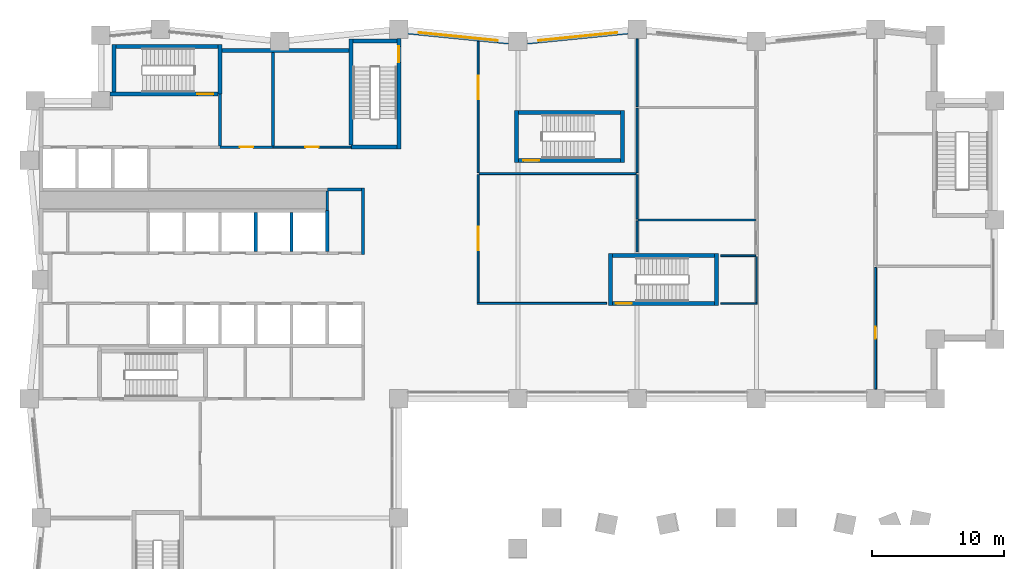
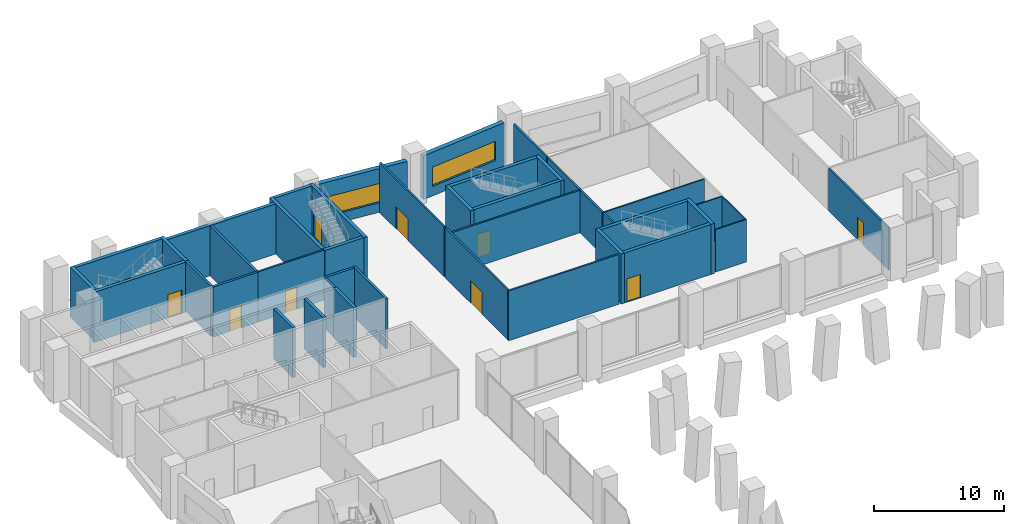
# One storey, part 12 of 17: 42 walls, 9 doors, 2 windows, 11 openings.
"""IFC4 building model written with IfcOpenShell, lengths in metres."""

from ifc_helpers import new_model, si_unit, direction, frame, frame_2d, origin, place, context, subcontext, project, spatial, rectangle, extrude, material, layer, layer_set, type_object, element, fill, save


model = new_model("IFC4")

# Units and contexts
model_context = context("Model", 3, precision=1e-05, world=origin(), true_north=direction((0.0, 1.0)))
body_context = subcontext(model_context, "Body", "Model", "MODEL_VIEW")
ifc_project = project(units=[si_unit("LENGTHUNIT", "METRE"), si_unit("AREAUNIT", "SQUARE_METRE"), si_unit("VOLUMEUNIT", "CUBIC_METRE"), si_unit("PLANEANGLEUNIT", "RADIAN"), si_unit("MASSUNIT", "GRAM", prefix="KILO")], contexts=[model_context])

# Site, building, storey
site_placement = place(None, origin())
site = spatial("IfcSite", under=ifc_project, at=site_placement, CompositionType="ELEMENT")
building_placement = place(site_placement, origin())
building = spatial("IfcBuilding", under=site, at=building_placement, Name="Brondeck Convention Tower", CompositionType="ELEMENT")
storey_placement = place(building_placement, frame((0.0, 0.0, 14.5)))
storey = spatial("IfcBuildingStorey", under=building, at=storey_placement, Name="L02", CompositionType="ELEMENT", Elevation=14.5)

# Walls
ifc_material_1 = material(Name="Concrete C80/95", Category="concrete")
ifc_layer_1 = layer(ifc_material_1, 0.199951171875)
ifc_layer_set_1 = layer_set([ifc_layer_1], Name="Core beam-seat wall 200 Concrete C80/95")
wall_type_1 = type_object("IfcWallType", Name="Core beam-seat wall 200 Concrete C80/95", PredefinedType="SHEAR", material=ifc_layer_set_1)
wall_1_placement = place(storey_placement, frame((24.300048828125, 46.89990234375, 0.0), z_axis=(0.0, 0.0, 1.0), x_axis=(0.0, 1.0, 0.0)))
element("IfcWall", 1, at=wall_1_placement, inside=storey, type_object=wall_type_1, Name="L02 core wall", PredefinedType="SHEAR", context=body_context, shape_type="SweptSolid", body=[
    extrude(rectangle(XDim=5.0, YDim=0.199951171875, at=frame_2d((2.5, 0.0))), origin(), (0.0, 0.0, 1.0), 4.699951171875),
])
ifc_layer_2 = layer(ifc_material_1, 0.300048828125)
ifc_layer_set_2 = layer_set([ifc_layer_2], Name="Core outer wall 300 Concrete C80/95")
wall_type_2 = type_object("IfcWallType", Name="Core outer wall 300 Concrete C80/95", PredefinedType="SHEAR", material=ifc_layer_set_2)
wall_2_placement = place(storey_placement, frame((13.64990234375, 62.300048828125, 0.0), z_axis=(0.0, 0.0, 1.0), x_axis=(1.0, 0.0, 0.0)))
element("IfcWall", 2, at=wall_2_placement, inside=storey, type_object=wall_type_2, Name="L02 core wall", PredefinedType="SHEAR", context=body_context, shape_type="SweptSolid", body=[
    extrude(rectangle(XDim=9.60009765625, YDim=0.300048828125, at=frame_2d((4.800048828125, 0.0))), origin(), (0.0, 0.0, 1.0), 4.699951171875),
])

# Wall, opening, door
ifc_material_2 = material(Name="Fire-rated gypsum board partition")
ifc_layer_3 = layer(ifc_material_2, 0.14990234375)
ifc_layer_set_3 = layer_set([ifc_layer_3], Name="Core partition 150 EI 60")
wall_type_3 = type_object("IfcWallType", Name="Core partition 150 EI 60", PredefinedType="PARTITIONING", material=ifc_layer_set_3)
wall_3_placement = place(storey_placement, frame((17.5, 55.0, 0.0), z_axis=(0.0, 0.0, 1.0), x_axis=(1.0, 0.0, 0.0)))
wall_3 = element("IfcWall", 3, at=wall_3_placement, inside=storey, type_object=wall_type_3, Name="L02 core wall", PredefinedType="PARTITIONING", context=body_context, shape_type="SweptSolid", body=[
    extrude(rectangle(XDim=5.89990234375, YDim=0.14990234375, at=frame_2d((2.949951171875, 0.0))), origin(), (0.0, 0.0, 1.0), 4.699951171875),
])
opening_1_placement = place(wall_3_placement, frame((2.449951171875, 0.0, 0.0)))
opening_1 = element("IfcOpeningElement", 4, at=opening_1_placement, cuts=wall_3, Name="Opening C04-12", PredefinedType="OPENING", context=body_context, shape_type="SweptSolid", body=[
    extrude(rectangle(XDim=1.0, YDim=2.10009765625, at=frame_2d((0.5, 1.050048828125))), frame((0.0, 0.0849609375, 0.0), z_axis=(0.0, -1.0, 0.0), x_axis=(1.0, 0.0, 0.0)), (0.0, 0.0, 1.0), 0.169921875),
])
ifc_material_3 = material(Name="Steel fire door", Category="steel")
door_type_1 = type_object("IfcDoorType", Name="Room door 1000x2100 EI 60", OperationType="NOTDEFINED", PredefinedType="DOOR", material=ifc_material_3)
door_1_placement = place(opening_1_placement, origin())
door_1 = element("IfcDoor", 5, at=door_1_placement, inside=storey, type_object=door_type_1, Name="L02 Room door NE-2", OperationType="SINGLE_SWING_RIGHT", OverallHeight=2.10009765625, OverallWidth=1.0, PredefinedType="DOOR", context=body_context, shape_type="SweptSolid", body=[
    extrude(rectangle(XDim=1.0, YDim=2.10009765625, at=frame_2d((0.5, 1.050048828125))), frame((0.0, 0.02490234375, 0.0), z_axis=(0.0, -1.0, 0.0), x_axis=(1.0, 0.0, 0.0)), (0.0, 0.0, 1.0), 0.050048828125),
])
fill(opening_1, door_1)

# Wall, opening, window
ifc_material_4 = material(Name="Limestone", Category="masonry")
ifc_layer_4 = layer(ifc_material_4, 0.10009765625, Name="Limestone facing")
ifc_material_5 = material(Name="Mineral wool")
ifc_layer_5 = layer(ifc_material_5, 0.159912109375, Name="Insulation")
ifc_material_6 = material(Name="Concrete C35/45", Category="concrete")
ifc_layer_6 = layer(ifc_material_6, 0.139892578125, Name="Backing")
ifc_layer_set_4 = layer_set([ifc_layer_4, ifc_layer_5, ifc_layer_6], Name="External wall, limestone cladding")
wall_type_4 = type_object("IfcWallType", Name="External wall, limestone cladding", PredefinedType="SOLIDWALL", material=ifc_layer_set_4)
wall_4_placement = place(storey_placement, frame((36.70654296875, 62.97021484375, 0.0), z_axis=(0.0, 0.0, 1.0), x_axis=(0.995039719416, 0.099478423711, 0.0)))
wall_4 = element("IfcWall", 6, at=wall_4_placement, inside=storey, type_object=wall_type_4, Name="ENV-EW-L02-BASE-A-N-09", PredefinedType="SOLIDWALL", context=body_context, shape_type="SweptSolid", body=[
    extrude(rectangle(XDim=7.644775390625, YDim=0.39990234375, at=frame_2d((3.822265625, 0.0))), origin(), (0.0, 0.0, 1.0), 4.10009765625),
])
opening_2_placement = place(wall_4_placement, frame((0.822509765625, 0.0, 0.89990234375)))
opening_2 = element("IfcOpeningElement", 7, at=opening_2_placement, cuts=wall_4, Name="Opening W4", PredefinedType="OPENING", context=body_context, shape_type="SweptSolid", body=[
    extrude(rectangle(XDim=6.0, YDim=1.800048828125, at=frame_2d((3.0, 0.89990234375))), frame((0.0, 0.2099609375, 0.0), z_axis=(0.0, -1.0, 0.0), x_axis=(1.0, 0.0, 0.0)), (0.0, 0.0, 1.0), 0.419921875),
])
ifc_material_7 = material(Name="Bronze tinted double glazing", Category="glass")
window_type = type_object("IfcWindowType", Name="Podium ribbon window, bronze tinted", PartitioningType="SINGLE_PANEL", PredefinedType="WINDOW", material=ifc_material_7)
window_1_placement = place(opening_2_placement, origin())
window_1 = element("IfcWindow", 8, at=window_1_placement, inside=storey, type_object=window_type, Name="ENV-WN-L02-BASE-A-N-09", OverallHeight=1.800048828125, OverallWidth=6.0, PartitioningType="SINGLE_PANEL", PredefinedType="WINDOW", context=body_context, shape_type="SweptSolid", body=[
    extrude(rectangle(XDim=6.0, YDim=1.800048828125, at=frame_2d((3.0, 0.89990234375))), frame((0.0, 0.030029296875, 0.0), z_axis=(0.0, -1.0, 0.0), x_axis=(1.0, 0.0, 0.0)), (0.0, 0.0, 1.0), 0.06005859375),
])
fill(opening_2, window_1)

wall_5_placement = place(storey_placement, frame((27.6865234375, 63.730712890625, 0.0), z_axis=(0.0, 0.0, 1.0), x_axis=(0.995039719416, -0.099478423711, 0.0)))
wall_5 = element("IfcWall", 9, at=wall_5_placement, inside=storey, type_object=wall_type_4, Name="ENV-EW-L02-BASE-A-N-07", PredefinedType="SOLIDWALL", context=body_context, shape_type="SweptSolid", body=[
    extrude(rectangle(XDim=7.644775390625, YDim=0.39990234375, at=frame_2d((3.822265625, 0.0))), origin(), (0.0, 0.0, 1.0), 4.10009765625),
])
opening_3_placement = place(wall_5_placement, frame((0.822509765625, 0.0, 0.89990234375)))
opening_3 = element("IfcOpeningElement", 10, at=opening_3_placement, cuts=wall_5, Name="Opening W4", PredefinedType="OPENING", context=body_context, shape_type="SweptSolid", body=[
    extrude(rectangle(XDim=6.0, YDim=1.800048828125, at=frame_2d((3.0, 0.89990234375))), frame((0.0, 0.2099609375, 0.0), z_axis=(0.0, -1.0, 0.0), x_axis=(1.0, 0.0, 0.0)), (0.0, 0.0, 1.0), 0.419921875),
])
window_2_placement = place(opening_3_placement, origin())
window_2 = element("IfcWindow", 11, at=window_2_placement, inside=storey, type_object=window_type, Name="ENV-WN-L02-BASE-A-N-07", OverallHeight=1.800048828125, OverallWidth=6.0, PartitioningType="SINGLE_PANEL", PredefinedType="WINDOW", context=body_context, shape_type="SweptSolid", body=[
    extrude(rectangle(XDim=6.0, YDim=1.800048828125, at=frame_2d((3.0, 0.89990234375))), frame((0.0, 0.030029296875, 0.0), z_axis=(0.0, -1.0, 0.0), x_axis=(1.0, 0.0, 0.0)), (0.0, 0.0, 1.0), 0.06005859375),
])
fill(opening_3, window_2)

# Walls
ifc_layer_7 = layer(ifc_material_2, 0.199951171875)
ifc_layer_set_5 = layer_set([ifc_layer_7], Name="Firefighting lobby wall 200 EI 120")
wall_type_5 = type_object("IfcWallType", Name="Firefighting lobby wall 200 EI 120", PredefinedType="PARTITIONING", material=ifc_layer_set_5)
wall_6_placement = place(storey_placement, frame((13.5, 55.10009765625, 0.0), z_axis=(0.0, 0.0, 1.0), x_axis=(0.0, 1.0, 0.0)))
element("IfcWall", 12, at=wall_6_placement, inside=storey, type_object=wall_type_5, Name="L02 core wall", PredefinedType="PARTITIONING", context=body_context, shape_type="SweptSolid", body=[
    extrude(rectangle(XDim=3.89990234375, YDim=0.199951171875, at=frame_2d((1.949951171875, 0.0))), origin(), (0.0, 0.0, 1.0), 4.699951171875),
])
ifc_material_8 = material(Name="Double gypsum board acoustic wall")
ifc_layer_8 = layer(ifc_material_8, 0.14990234375)
ifc_layer_set_6 = layer_set([ifc_layer_8], Name="Guest room party wall 150")
wall_type_6 = type_object("IfcWallType", Name="Guest room party wall 150", PredefinedType="PARTITIONING", material=ifc_layer_set_6)
wall_7_placement = place(storey_placement, frame((32.925048828125, 43.199951171875, 0.0), z_axis=(0.0, 0.0, 1.0), x_axis=(1.0, 0.0, 0.0)))
element("IfcWall", 13, at=wall_7_placement, inside=storey, type_object=wall_type_6, Name="FLR-L02-W010", PredefinedType="PARTITIONING", context=body_context, shape_type="SweptSolid", body=[
    extrude(rectangle(XDim=9.77490234375, YDim=0.14990234375, at=frame_2d((4.887451171875, 0.0))), origin(), (0.0, 0.0, 1.0), 4.679931640625),
])

# Wall, opening, door
wall_8_placement = place(storey_placement, frame((63.0, 45.925048828125, 0.0), z_axis=(0.0, 0.0, 1.0), x_axis=(0.0, -1.0, 0.0)))
wall_8 = element("IfcWall", 14, at=wall_8_placement, inside=storey, type_object=wall_type_6, Name="FLR-L02-W013", PredefinedType="PARTITIONING", context=body_context, shape_type="SweptSolid", body=[
    extrude(rectangle(XDim=9.205078125, YDim=0.14990234375, at=frame_2d((4.6025390625, 0.0))), origin(), (0.0, 0.0, 1.0), 3.97998046875),
])
opening_4_placement = place(wall_8_placement, frame((4.47509765625, 0.0, 0.0)))
opening_4 = element("IfcOpeningElement", 15, at=opening_4_placement, cuts=wall_8, Name="Opening P-L02-006", PredefinedType="OPENING", context=body_context, shape_type="SweptSolid", body=[
    extrude(rectangle(XDim=0.89990234375, YDim=2.10009765625, at=frame_2d((0.449951171875, 1.050048828125))), frame((0.0, 0.0849609375, 0.0), z_axis=(0.0, -1.0, 0.0), x_axis=(1.0, 0.0, 0.0)), (0.0, 0.0, 1.0), 0.169921875),
])
ifc_material_9 = material(Name="Solid timber door leaf", Category="wood")
door_type_2 = type_object("IfcDoorType", Name="Single door 900", OperationType="NOTDEFINED", PredefinedType="DOOR", material=ifc_material_9)
door_2_placement = place(opening_4_placement, origin())
door_2 = element("IfcDoor", 16, at=door_2_placement, inside=storey, type_object=door_type_2, Name="Door P-L02-006", OperationType="SINGLE_SWING_LEFT", OverallHeight=2.10009765625, OverallWidth=0.89990234375, PredefinedType="DOOR", context=body_context, shape_type="SweptSolid", body=[
    extrude(rectangle(XDim=0.89990234375, YDim=2.10009765625, at=frame_2d((0.449951171875, 1.050048828125))), frame((0.0, 0.02490234375, 0.0), z_axis=(0.0, -1.0, 0.0), x_axis=(1.0, 0.0, 0.0)), (0.0, 0.0, 1.0), 0.050048828125),
])
fill(opening_4, door_2)

# Wall
wall_9_placement = place(storey_placement, frame((45.0, 49.4375, 0.0), z_axis=(0.0, 0.0, 1.0), x_axis=(0.0, -1.0, 0.0)))
element("IfcWall", 17, at=wall_9_placement, inside=storey, type_object=wall_type_6, Name="FLR-L02-W017", PredefinedType="PARTITIONING", context=body_context, shape_type="SweptSolid", body=[
    extrude(rectangle(XDim=2.33740234375, YDim=0.14990234375, at=frame_2d((1.168701171875, 0.0))), origin(), (0.0, 0.0, 1.0), 3.97998046875),
])

# Wall, opening, door
wall_10_placement = place(storey_placement, frame((33.0, 52.925048828125, 0.0), z_axis=(0.0, 0.0, 1.0), x_axis=(0.0, -1.0, 0.0)))
wall_10 = element("IfcWall", 18, at=wall_10_placement, inside=storey, type_object=wall_type_6, Name="FLR-L02-W020", PredefinedType="PARTITIONING", context=body_context, shape_type="SweptSolid", body=[
    extrude(rectangle(XDim=9.650146484375, YDim=0.14990234375, at=frame_2d((4.8251953125, 0.0))), origin(), (0.0, 0.0, 1.0), 4.679931640625),
])
opening_5_placement = place(wall_10_placement, frame((3.925048828125, 0.0, 0.0)))
opening_5 = element("IfcOpeningElement", 19, at=opening_5_placement, cuts=wall_10, Name="Opening P-L02-001", PredefinedType="OPENING", context=body_context, shape_type="SweptSolid", body=[
    extrude(rectangle(XDim=1.800048828125, YDim=2.10009765625, at=frame_2d((0.89990234375, 1.050048828125))), frame((0.0, 0.0849609375, 0.0), z_axis=(0.0, -1.0, 0.0), x_axis=(1.0, 0.0, 0.0)), (0.0, 0.0, 1.0), 0.169921875),
])
ifc_material_10 = material(Name="Glazed timber double door", Category="wood")
door_type_3 = type_object("IfcDoorType", Name="Double door 1800", OperationType="DOUBLE_DOOR_SINGLE_SWING", PredefinedType="DOOR", material=ifc_material_10)
door_3_placement = place(opening_5_placement, origin())
door_3 = element("IfcDoor", 20, at=door_3_placement, inside=storey, type_object=door_type_3, Name="Door P-L02-001", OperationType="DOUBLE_DOOR_SINGLE_SWING", OverallHeight=2.10009765625, OverallWidth=1.800048828125, PredefinedType="DOOR", context=body_context, shape_type="SweptSolid", body=[
    extrude(rectangle(XDim=1.800048828125, YDim=2.10009765625, at=frame_2d((0.89990234375, 1.050048828125))), frame((0.0, 0.02490234375, 0.0), z_axis=(0.0, -1.0, 0.0), x_axis=(1.0, 0.0, 0.0)), (0.0, 0.0, 1.0), 0.050048828125),
])
fill(opening_5, door_3)

# Walls
wall_11_placement = place(storey_placement, frame((45.0, 52.925048828125, 0.0), z_axis=(0.0, 0.0, 1.0), x_axis=(0.0, -1.0, 0.0)))
element("IfcWall", 21, at=wall_11_placement, inside=storey, type_object=wall_type_6, Name="FLR-L02-W021", PredefinedType="PARTITIONING", context=body_context, shape_type="SweptSolid", body=[
    extrude(rectangle(XDim=3.362548828125, YDim=0.14990234375, at=frame_2d((1.68115234375, 0.0))), origin(), (0.0, 0.0, 1.0), 3.97998046875),
])
wall_12_placement = place(storey_placement, frame((33.074951171875, 53.0, 0.0), z_axis=(0.0, 0.0, 1.0), x_axis=(1.0, 0.0, 0.0)))
element("IfcWall", 22, at=wall_12_placement, inside=storey, type_object=wall_type_6, Name="FLR-L02-W022", PredefinedType="PARTITIONING", context=body_context, shape_type="SweptSolid", body=[
    extrude(rectangle(XDim=11.85009765625, YDim=0.14990234375, at=frame_2d((5.925048828125, 0.0))), origin(), (0.0, 0.0, 1.0), 3.97998046875),
])
wall_13_placement = place(storey_placement, frame((45.0, 57.9375, 0.0), z_axis=(0.0, 0.0, 1.0), x_axis=(0.0, -1.0, 0.0)))
element("IfcWall", 23, at=wall_13_placement, inside=storey, type_object=wall_type_6, Name="FLR-L02-W025", PredefinedType="PARTITIONING", context=body_context, shape_type="SweptSolid", body=[
    extrude(rectangle(XDim=4.862548828125, YDim=0.14990234375, at=frame_2d((2.43115234375, 0.0))), origin(), (0.0, 0.0, 1.0), 3.97998046875),
])

# Wall, opening, door
wall_14_placement = place(storey_placement, frame((33.0, 62.978515625, 0.0), z_axis=(0.0, 0.0, 1.0), x_axis=(0.0, -1.0, 0.0)))
wall_14 = element("IfcWall", 24, at=wall_14_placement, inside=storey, type_object=wall_type_6, Name="FLR-L02-W028", PredefinedType="PARTITIONING", context=body_context, shape_type="SweptSolid", body=[
    extrude(rectangle(XDim=9.903564453125, YDim=0.14990234375, at=frame_2d((4.95166015625, 0.0))), origin(), (0.0, 0.0, 1.0), 4.679931640625),
])
opening_6_placement = place(wall_14_placement, frame((2.57861328125, 0.0, 0.0)))
opening_6 = element("IfcOpeningElement", 25, at=opening_6_placement, cuts=wall_14, Name="Opening P-L02-002", PredefinedType="OPENING", context=body_context, shape_type="SweptSolid", body=[
    extrude(rectangle(XDim=1.800048828125, YDim=2.10009765625, at=frame_2d((0.89990234375, 1.050048828125))), frame((0.0, 0.0849609375, 0.0), z_axis=(0.0, -1.0, 0.0), x_axis=(1.0, 0.0, 0.0)), (0.0, 0.0, 1.0), 0.169921875),
])
door_4_placement = place(opening_6_placement, origin())
door_4 = element("IfcDoor", 26, at=door_4_placement, inside=storey, type_object=door_type_3, Name="Door P-L02-002", OperationType="DOUBLE_DOOR_SINGLE_SWING", OverallHeight=2.10009765625, OverallWidth=1.800048828125, PredefinedType="DOOR", context=body_context, shape_type="SweptSolid", body=[
    extrude(rectangle(XDim=1.800048828125, YDim=2.10009765625, at=frame_2d((0.89990234375, 1.050048828125))), frame((0.0, 0.02490234375, 0.0), z_axis=(0.0, -1.0, 0.0), x_axis=(1.0, 0.0, 0.0)), (0.0, 0.0, 1.0), 0.050048828125),
])
fill(opening_6, door_4)

# Walls
wall_15_placement = place(storey_placement, frame((45.0, 63.179931640625, 0.0), z_axis=(0.0, 0.0, 1.0), x_axis=(0.0, -1.0, 0.0)))
element("IfcWall", 27, at=wall_15_placement, inside=storey, type_object=wall_type_6, Name="FLR-L02-W029", PredefinedType="PARTITIONING", context=body_context, shape_type="SweptSolid", body=[
    extrude(rectangle(XDim=5.117431640625, YDim=0.14990234375, at=frame_2d((2.55859375, 0.0))), origin(), (0.0, 0.0, 1.0), 3.97998046875),
])
ifc_layer_9 = layer(ifc_material_1, 0.25)
ifc_layer_set_7 = layer_set([ifc_layer_9], Name="Lift shaft wall 250 Concrete C80/95")
wall_type_7 = type_object("IfcWallType", Name="Lift shaft wall 250 Concrete C80/95", PredefinedType="SHEAR", material=ifc_layer_set_7)
for number, where, z_axis, x_axis, name in (
    (28, (16.199951171875, 47.125, 0.0), (0.0, 0.0, 1.0), (0.0, 1.0, 0.0), "L02 core wall"),
    (29, (18.89990234375, 47.125, 0.0), (0.0, 0.0, 1.0), (0.0, 1.0, 0.0), "L02 core wall"),
):
    element("IfcWall", number, at=place(storey_placement, frame(where, z_axis=z_axis, x_axis=x_axis)), inside=storey, type_object=wall_type_7, Name=name, PredefinedType="SHEAR", context=body_context, shape_type="SweptSolid", body=[
        extrude(rectangle(XDim=2.949951171875, YDim=0.25, at=frame_2d((1.47509765625, 0.0))), origin(), (0.0, 0.0, 1.0), 4.699951171875),
    ])
wall_16_placement = place(storey_placement, frame((21.60009765625, 47.125, 0.0), z_axis=(0.0, 0.0, 1.0), x_axis=(0.0, 1.0, 0.0)))
element("IfcWall", 30, at=wall_16_placement, inside=storey, type_object=wall_type_7, Name="L02 core wall", PredefinedType="SHEAR", context=body_context, shape_type="SweptSolid", body=[
    extrude(rectangle(XDim=3.074951171875, YDim=0.25, at=frame_2d((1.53759765625, 0.0))), origin(), (0.0, 0.0, 1.0), 4.699951171875),
])
ifc_material_11 = material(Name="Gypsum board shaft wall on steel studs", Category="steel")
ifc_layer_10 = layer(ifc_material_11, 0.125)
ifc_layer_set_8 = layer_set([ifc_layer_10], Name="Riser wall 125")
wall_type_8 = type_object("IfcWallType", Name="Riser wall 125", PredefinedType="PARTITIONING", material=ifc_layer_set_8)
wall_17_placement = place(storey_placement, frame((53.9375, 46.800048828125, 0.0), z_axis=(0.0, 0.0, 1.0), x_axis=(-1.0, 0.0, 0.0)))
element("IfcWall", 31, at=wall_17_placement, inside=storey, type_object=wall_type_8, Name="FLR-L02-W015", PredefinedType="PARTITIONING", context=body_context, shape_type="SweptSolid", body=[
    extrude(rectangle(XDim=2.637451171875, YDim=0.125, at=frame_2d((1.31884765625, 0.0))), origin(), (0.0, 0.0, 1.0), 3.97998046875),
])
wall_18_placement = place(storey_placement, frame((45.074951171875, 49.5, 0.0), z_axis=(0.0, 0.0, 1.0), x_axis=(1.0, 0.0, 0.0)))
element("IfcWall", 32, at=wall_18_placement, inside=storey, type_object=wall_type_8, Name="FLR-L02-W018", PredefinedType="PARTITIONING", context=body_context, shape_type="SweptSolid", body=[
    extrude(rectangle(XDim=8.862548828125, YDim=0.125, at=frame_2d((4.43115234375, 0.0))), origin(), (0.0, 0.0, 1.0), 3.97998046875),
])
ifc_layer_11 = layer(ifc_material_2, 0.199951171875)
ifc_layer_set_9 = layer_set([ifc_layer_11], Name="Riser wall 200 EI 120")
wall_type_9 = type_object("IfcWallType", Name="Riser wall 200 EI 120", PredefinedType="PARTITIONING", material=ifc_layer_set_9)
wall_19_placement = place(storey_placement, frame((21.60009765625, 51.800048828125, 0.0), z_axis=(0.0, 0.0, 1.0), x_axis=(1.0, 0.0, 0.0)))
element("IfcWall", 33, at=wall_19_placement, inside=storey, type_object=wall_type_9, Name="L02 core wall", PredefinedType="PARTITIONING", context=body_context, shape_type="SweptSolid", body=[
    extrude(rectangle(XDim=2.599853515625, YDim=0.199951171875, at=frame_2d((1.2998046875, 0.0))), origin(), (0.0, 0.0, 1.0), 4.699951171875),
])

# Wall, opening, door
wall_20_placement = place(storey_placement, frame((13.5, 55.0, 0.0), z_axis=(0.0, 0.0, 1.0), x_axis=(1.0, 0.0, 0.0)))
wall_20 = element("IfcWall", 34, at=wall_20_placement, inside=storey, type_object=wall_type_9, Name="L02 core wall", PredefinedType="PARTITIONING", context=body_context, shape_type="SweptSolid", body=[
    extrude(rectangle(XDim=4.0, YDim=0.199951171875, at=frame_2d((2.0, 0.0))), origin(), (0.0, 0.0, 1.0), 4.699951171875),
])
opening_7_placement = place(wall_20_placement, frame((1.5, 0.0, 0.0)))
opening_7 = element("IfcOpeningElement", 35, at=opening_7_placement, cuts=wall_20, Name="Opening C04-11", PredefinedType="OPENING", context=body_context, shape_type="SweptSolid", body=[
    extrude(rectangle(XDim=1.0, YDim=2.10009765625, at=frame_2d((0.5, 1.050048828125))), frame((0.0, 0.10986328125, 0.0), z_axis=(0.0, -1.0, 0.0), x_axis=(1.0, 0.0, 0.0)), (0.0, 0.0, 1.0), 0.219970703125),
])
door_type_4 = type_object("IfcDoorType", Name="Riser door 1000x2100 EI 120", OperationType="NOTDEFINED", PredefinedType="DOOR", material=ifc_material_3)
door_5_placement = place(opening_7_placement, origin())
door_5 = element("IfcDoor", 36, at=door_5_placement, inside=storey, type_object=door_type_4, Name="L02 Riser door NE-1", OperationType="SINGLE_SWING_LEFT", OverallHeight=2.10009765625, OverallWidth=1.0, PredefinedType="DOOR", context=body_context, shape_type="SweptSolid", body=[
    extrude(rectangle(XDim=1.0, YDim=2.10009765625, at=frame_2d((0.5, 1.050048828125))), frame((0.0, 0.02490234375, 0.0), z_axis=(0.0, -1.0, 0.0), x_axis=(1.0, 0.0, 0.0)), (0.0, 0.0, 1.0), 0.050048828125),
])
fill(opening_7, door_5)

# Walls
wall_21_placement = place(storey_placement, frame((17.5, 55.10009765625, 0.0), z_axis=(0.0, 0.0, 1.0), x_axis=(0.0, 1.0, 0.0)))
element("IfcWall", 37, at=wall_21_placement, inside=storey, type_object=wall_type_9, Name="L02 core wall", PredefinedType="PARTITIONING", context=body_context, shape_type="SweptSolid", body=[
    extrude(rectangle(XDim=7.0498046875, YDim=0.199951171875, at=frame_2d((3.52490234375, 0.0))), origin(), (0.0, 0.0, 1.0), 4.699951171875),
])
wall_22_placement = place(storey_placement, frame((21.60009765625, 50.199951171875, 0.0), z_axis=(0.0, 0.0, 1.0), x_axis=(0.0, 1.0, 0.0)))
element("IfcWall", 38, at=wall_22_placement, inside=storey, type_object=wall_type_9, Name="L02 core wall", PredefinedType="PARTITIONING", context=body_context, shape_type="SweptSolid", body=[
    extrude(rectangle(XDim=1.5, YDim=0.199951171875, at=frame_2d((0.75, 0.0))), origin(), (0.0, 0.0, 1.0), 4.699951171875),
])
ifc_material_12 = material(Name="Gypsum board partition on steel studs", Category="steel")
ifc_layer_12 = layer(ifc_material_12, 0.10009765625)
ifc_layer_set_10 = layer_set([ifc_layer_12], Name="Room partition 100")
wall_type_10 = type_object("IfcWallType", Name="Room partition 100", PredefinedType="PARTITIONING", material=ifc_layer_set_10)
wall_23_placement = place(storey_placement, frame((51.300048828125, 43.199951171875, 0.0), z_axis=(0.0, 0.0, 1.0), x_axis=(1.0, 0.0, 0.0)))
element("IfcWall", 39, at=wall_23_placement, inside=storey, type_object=wall_type_10, Name="FLR-L02-W011", PredefinedType="PARTITIONING", context=body_context, shape_type="SweptSolid", body=[
    extrude(rectangle(XDim=2.75, YDim=0.10009765625, at=frame_2d((1.375, 0.0))), origin(), (0.0, 0.0, 1.0), 3.97998046875),
])
wall_24_placement = place(storey_placement, frame((54.0, 43.25, 0.0), z_axis=(0.0, 0.0, 1.0), x_axis=(0.0, 1.0, 0.0)))
element("IfcWall", 40, at=wall_24_placement, inside=storey, type_object=wall_type_10, Name="FLR-L02-W012", PredefinedType="PARTITIONING", context=body_context, shape_type="SweptSolid", body=[
    extrude(rectangle(XDim=3.487548828125, YDim=0.10009765625, at=frame_2d((1.74365234375, 0.0))), origin(), (0.0, 0.0, 1.0), 3.97998046875),
])

# Wall, opening, door
ifc_layer_13 = layer(ifc_material_1, 0.300048828125)
ifc_layer_set_11 = layer_set([ifc_layer_13], Name="Stair enclosure wall 300 Concrete C80/95")
wall_type_11 = type_object("IfcWallType", Name="Stair enclosure wall 300 Concrete C80/95", PredefinedType="SHEAR", material=ifc_layer_set_11)
wall_25_placement = place(storey_placement, frame((43.14990234375, 43.199951171875, 0.0), z_axis=(0.0, 0.0, 1.0), x_axis=(1.0, 0.0, 0.0)))
wall_25 = element("IfcWall", 41, at=wall_25_placement, inside=storey, type_object=wall_type_11, Name="L02 core wall", PredefinedType="SHEAR", context=body_context, shape_type="SweptSolid", body=[
    extrude(rectangle(XDim=7.7001953125, YDim=0.300048828125, at=frame_2d((3.85009765625, 0.0))), origin(), (0.0, 0.0, 1.0), 4.699951171875),
])
opening_8_placement = place(wall_25_placement, frame((0.25, 0.0, 0.0)))
opening_8 = element("IfcOpeningElement", 42, at=opening_8_placement, cuts=wall_25, Name="Opening C04-19", PredefinedType="OPENING", context=body_context, shape_type="SweptSolid", body=[
    extrude(rectangle(XDim=1.199951171875, YDim=2.199951171875, at=frame_2d((0.60009765625, 1.10009765625))), frame((0.0, 0.159912109375, 0.0), z_axis=(0.0, -1.0, 0.0), x_axis=(1.0, 0.0, 0.0)), (0.0, 0.0, 1.0), 0.320068359375),
])
door_type_5 = type_object("IfcDoorType", Name="Stair door 1200x2200 EI 90", OperationType="NOTDEFINED", PredefinedType="DOOR", material=ifc_material_3)
door_6_placement = place(opening_8_placement, origin())
door_6 = element("IfcDoor", 43, at=door_6_placement, inside=storey, type_object=door_type_5, Name="L02 Stair door ST-AF", OperationType="SINGLE_SWING_RIGHT", OverallHeight=2.199951171875, OverallWidth=1.199951171875, PredefinedType="DOOR", context=body_context, shape_type="SweptSolid", body=[
    extrude(rectangle(XDim=1.199951171875, YDim=2.199951171875, at=frame_2d((0.60009765625, 1.10009765625))), frame((0.0, 0.02490234375, 0.0), z_axis=(0.0, -1.0, 0.0), x_axis=(1.0, 0.0, 0.0)), (0.0, 0.0, 1.0), 0.050048828125),
])
fill(opening_8, door_6)

# Wall
wall_26_placement = place(storey_placement, frame((43.14990234375, 46.800048828125, 0.0), z_axis=(0.0, 0.0, 1.0), x_axis=(1.0, 0.0, 0.0)))
element("IfcWall", 44, at=wall_26_placement, inside=storey, type_object=wall_type_11, Name="L02 core wall", PredefinedType="SHEAR", context=body_context, shape_type="SweptSolid", body=[
    extrude(rectangle(XDim=7.7001953125, YDim=0.300048828125, at=frame_2d((3.85009765625, 0.0))), origin(), (0.0, 0.0, 1.0), 4.699951171875),
])

# Wall, opening, door
wall_27_placement = place(storey_placement, frame((36.050048828125, 54.0, 0.0), z_axis=(0.0, 0.0, 1.0), x_axis=(1.0, 0.0, 0.0)))
wall_27 = element("IfcWall", 45, at=wall_27_placement, inside=storey, type_object=wall_type_11, Name="L02 core wall", PredefinedType="SHEAR", context=body_context, shape_type="SweptSolid", body=[
    extrude(rectangle(XDim=7.699951171875, YDim=0.300048828125, at=frame_2d((3.85009765625, 0.0))), origin(), (0.0, 0.0, 1.0), 4.699951171875),
])
opening_9_placement = place(wall_27_placement, frame((0.35009765625, 0.0, 0.0)))
opening_9 = element("IfcOpeningElement", 46, at=opening_9_placement, cuts=wall_27, Name="Opening C04-18", PredefinedType="OPENING", context=body_context, shape_type="SweptSolid", body=[
    extrude(rectangle(XDim=1.199951171875, YDim=2.199951171875, at=frame_2d((0.60009765625, 1.10009765625))), frame((0.0, 0.159912109375, 0.0), z_axis=(0.0, -1.0, 0.0), x_axis=(1.0, 0.0, 0.0)), (0.0, 0.0, 1.0), 0.320068359375),
])
door_7_placement = place(opening_9_placement, origin())
door_7 = element("IfcDoor", 47, at=door_7_placement, inside=storey, type_object=door_type_5, Name="L02 Stair door ST-AE", OperationType="SINGLE_SWING_LEFT", OverallHeight=2.199951171875, OverallWidth=1.199951171875, PredefinedType="DOOR", context=body_context, shape_type="SweptSolid", body=[
    extrude(rectangle(XDim=1.199951171875, YDim=2.199951171875, at=frame_2d((0.60009765625, 1.10009765625))), frame((0.0, 0.02490234375, 0.0), z_axis=(0.0, -1.0, 0.0), x_axis=(1.0, 0.0, 0.0)), (0.0, 0.0, 1.0), 0.050048828125),
])
fill(opening_9, door_7)

# Walls
wall_28_placement = place(storey_placement, frame((23.39990234375, 55.0, 0.0), z_axis=(0.0, 0.0, 1.0), x_axis=(1.0, 0.0, 0.0)))
element("IfcWall", 48, at=wall_28_placement, inside=storey, type_object=wall_type_11, Name="L02 core wall", PredefinedType="SHEAR", context=body_context, shape_type="SweptSolid", body=[
    extrude(rectangle(XDim=3.4501953125, YDim=0.300048828125, at=frame_2d((1.72509765625, 0.0))), origin(), (0.0, 0.0, 1.0), 4.699951171875),
])
wall_29_placement = place(storey_placement, frame((36.050048828125, 57.60009765625, 0.0), z_axis=(0.0, 0.0, 1.0), x_axis=(1.0, 0.0, 0.0)))
element("IfcWall", 49, at=wall_29_placement, inside=storey, type_object=wall_type_11, Name="L02 core wall", PredefinedType="SHEAR", context=body_context, shape_type="SweptSolid", body=[
    extrude(rectangle(XDim=7.699951171875, YDim=0.300048828125, at=frame_2d((3.85009765625, 0.0))), origin(), (0.0, 0.0, 1.0), 4.699951171875),
])

# Wall, opening, door
wall_30_placement = place(storey_placement, frame((5.199951171875, 59.0, 0.0), z_axis=(0.0, 0.0, 1.0), x_axis=(1.0, 0.0, 0.0)))
wall_30 = element("IfcWall", 50, at=wall_30_placement, inside=storey, type_object=wall_type_11, Name="L02 core wall", PredefinedType="SHEAR", context=body_context, shape_type="SweptSolid", body=[
    extrude(rectangle(XDim=8.150146484375, YDim=0.300048828125, at=frame_2d((4.0751953125, 0.0))), origin(), (0.0, 0.0, 1.0), 4.699951171875),
])
opening_10_placement = place(wall_30_placement, frame((6.60009765625, 0.0, 0.0)))
opening_10 = element("IfcOpeningElement", 51, at=opening_10_placement, cuts=wall_30, Name="Opening C04-17", PredefinedType="OPENING", context=body_context, shape_type="SweptSolid", body=[
    extrude(rectangle(XDim=1.199951171875, YDim=2.199951171875, at=frame_2d((0.60009765625, 1.10009765625))), frame((0.0, 0.159912109375, 0.0), z_axis=(0.0, -1.0, 0.0), x_axis=(1.0, 0.0, 0.0)), (0.0, 0.0, 1.0), 0.320068359375),
])
door_type_6 = type_object("IfcDoorType", Name="Stair door 1200x2200 EI 120", OperationType="NOTDEFINED", PredefinedType="DOOR", material=ifc_material_3)
door_8_placement = place(opening_10_placement, origin())
door_8 = element("IfcDoor", 52, at=door_8_placement, inside=storey, type_object=door_type_6, Name="L02 Stair door ST-3", OperationType="SINGLE_SWING_RIGHT", OverallHeight=2.199951171875, OverallWidth=1.199951171875, PredefinedType="DOOR", context=body_context, shape_type="SweptSolid", body=[
    extrude(rectangle(XDim=1.199951171875, YDim=2.199951171875, at=frame_2d((0.60009765625, 1.10009765625))), frame((0.0, 0.02490234375, 0.0), z_axis=(0.0, -1.0, 0.0), x_axis=(1.0, 0.0, 0.0)), (0.0, 0.0, 1.0), 0.050048828125),
])
fill(opening_10, door_8)

# Walls
wall_31_placement = place(storey_placement, frame((5.64990234375, 62.60009765625, 0.0), z_axis=(0.0, 0.0, 1.0), x_axis=(1.0, 0.0, 0.0)))
element("IfcWall", 53, at=wall_31_placement, inside=storey, type_object=wall_type_11, Name="L02 core wall", PredefinedType="SHEAR", context=body_context, shape_type="SweptSolid", body=[
    extrude(rectangle(XDim=7.7001953125, YDim=0.300048828125, at=frame_2d((3.85009765625, 0.0))), origin(), (0.0, 0.0, 1.0), 4.699951171875),
])
wall_32_placement = place(storey_placement, frame((23.550048828125, 63.0, 0.0), z_axis=(0.0, 0.0, 1.0), x_axis=(1.0, 0.0, 0.0)))
element("IfcWall", 54, at=wall_32_placement, inside=storey, type_object=wall_type_11, Name="L02 core wall", PredefinedType="SHEAR", context=body_context, shape_type="SweptSolid", body=[
    extrude(rectangle(XDim=3.300048828125, YDim=0.300048828125, at=frame_2d((1.64990234375, 0.0))), origin(), (0.0, 0.0, 1.0), 4.699951171875),
])
wall_33_placement = place(storey_placement, frame((5.5, 59.14990234375, 0.0), z_axis=(0.0, 0.0, 1.0), x_axis=(0.0, 1.0, 0.0)))
element("IfcWall", 55, at=wall_33_placement, inside=storey, type_object=wall_type_11, Name="L02 core wall", PredefinedType="SHEAR", context=body_context, shape_type="SweptSolid", body=[
    extrude(rectangle(XDim=3.60009765625, YDim=0.300048828125, at=frame_2d((1.800048828125, 0.0))), origin(), (0.0, 0.0, 1.0), 4.699951171875),
])
wall_34_placement = place(storey_placement, frame((13.5, 59.0, 0.0), z_axis=(0.0, 0.0, 1.0), x_axis=(0.0, 1.0, 0.0)))
element("IfcWall", 56, at=wall_34_placement, inside=storey, type_object=wall_type_11, Name="L02 core wall", PredefinedType="SHEAR", context=body_context, shape_type="SweptSolid", body=[
    extrude(rectangle(XDim=3.75, YDim=0.300048828125, at=frame_2d((1.875, 0.0))), origin(), (0.0, 0.0, 1.0), 4.699951171875),
])
wall_35_placement = place(storey_placement, frame((23.39990234375, 55.14990234375, 0.0), z_axis=(0.0, 0.0, 1.0), x_axis=(0.0, 1.0, 0.0)))
element("IfcWall", 57, at=wall_35_placement, inside=storey, type_object=wall_type_11, Name="L02 core wall", PredefinedType="SHEAR", context=body_context, shape_type="SweptSolid", body=[
    extrude(rectangle(XDim=8.0, YDim=0.300048828125, at=frame_2d((4.0, 0.0))), origin(), (0.0, 0.0, 1.0), 4.699951171875),
])

# Wall, opening, door
wall_36_placement = place(storey_placement, frame((27.0, 54.85009765625, 0.0), z_axis=(0.0, 0.0, 1.0), x_axis=(0.0, 1.0, 0.0)))
wall_36 = element("IfcWall", 58, at=wall_36_placement, inside=storey, type_object=wall_type_11, Name="L02 core wall", PredefinedType="SHEAR", context=body_context, shape_type="SweptSolid", body=[
    extrude(rectangle(XDim=8.349853515625, YDim=0.300048828125, at=frame_2d((4.1748046875, 0.0))), origin(), (0.0, 0.0, 1.0), 4.699951171875),
])
opening_11_placement = place(wall_36_placement, frame((6.550048828125, 0.0, 0.0)))
opening_11 = element("IfcOpeningElement", 59, at=opening_11_placement, cuts=wall_36, Name="Opening C04-16", PredefinedType="OPENING", context=body_context, shape_type="SweptSolid", body=[
    extrude(rectangle(XDim=1.199951171875, YDim=2.199951171875, at=frame_2d((0.60009765625, 1.10009765625))), frame((0.0, 0.159912109375, 0.0), z_axis=(0.0, -1.0, 0.0), x_axis=(1.0, 0.0, 0.0)), (0.0, 0.0, 1.0), 0.320068359375),
])
door_9_placement = place(opening_11_placement, origin())
door_9 = element("IfcDoor", 60, at=door_9_placement, inside=storey, type_object=door_type_5, Name="L02 Stair door ST-2", OperationType="SINGLE_SWING_LEFT", OverallHeight=2.199951171875, OverallWidth=1.199951171875, PredefinedType="DOOR", context=body_context, shape_type="SweptSolid", body=[
    extrude(rectangle(XDim=1.199951171875, YDim=2.199951171875, at=frame_2d((0.60009765625, 1.10009765625))), frame((0.0, 0.02490234375, 0.0), z_axis=(0.0, -1.0, 0.0), x_axis=(1.0, 0.0, 0.0)), (0.0, 0.0, 1.0), 0.050048828125),
])
fill(opening_11, door_9)

# Walls
for number, where, z_axis, x_axis, name in (
    (61, (35.89990234375, 53.85009765625, 0.0), (0.0, 0.0, 1.0), (0.0, 1.0, 0.0), "L02 core wall"),
    (62, (43.0, 43.050048828125, 0.0), (0.0, 0.0, 1.0), (0.0, 1.0, 0.0), "L02 core wall"),
    (63, (43.89990234375, 53.85009765625, 0.0), (0.0, 0.0, 1.0), (0.0, 1.0, 0.0), "L02 core wall"),
    (64, (51.0, 43.050048828125, 0.0), (0.0, 0.0, 1.0), (0.0, 1.0, 0.0), "L02 core wall"),
):
    element("IfcWall", number, at=place(storey_placement, frame(where, z_axis=z_axis, x_axis=x_axis)), inside=storey, type_object=wall_type_11, Name=name, PredefinedType="SHEAR", context=body_context, shape_type="SweptSolid", body=[
        extrude(rectangle(XDim=3.89990234375, YDim=0.300048828125, at=frame_2d((1.949951171875, 0.0))), origin(), (0.0, 0.0, 1.0), 4.699951171875),
    ])

save(model, "model.ifc")
